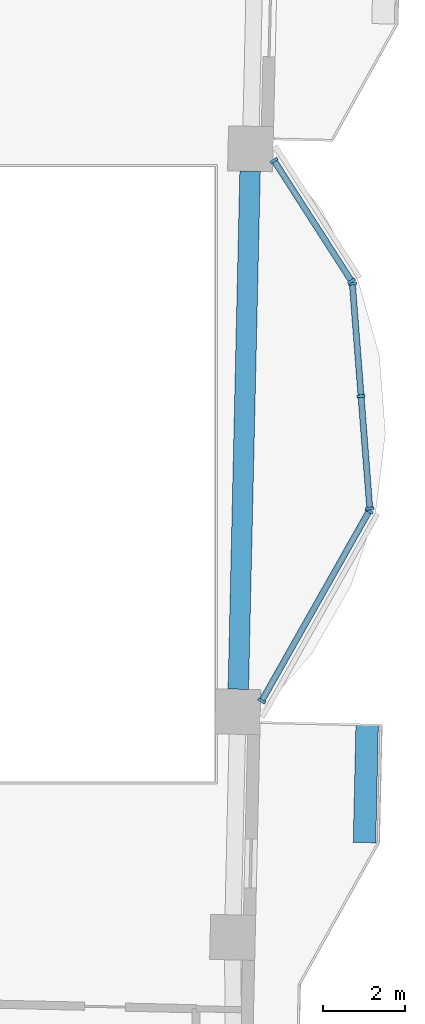
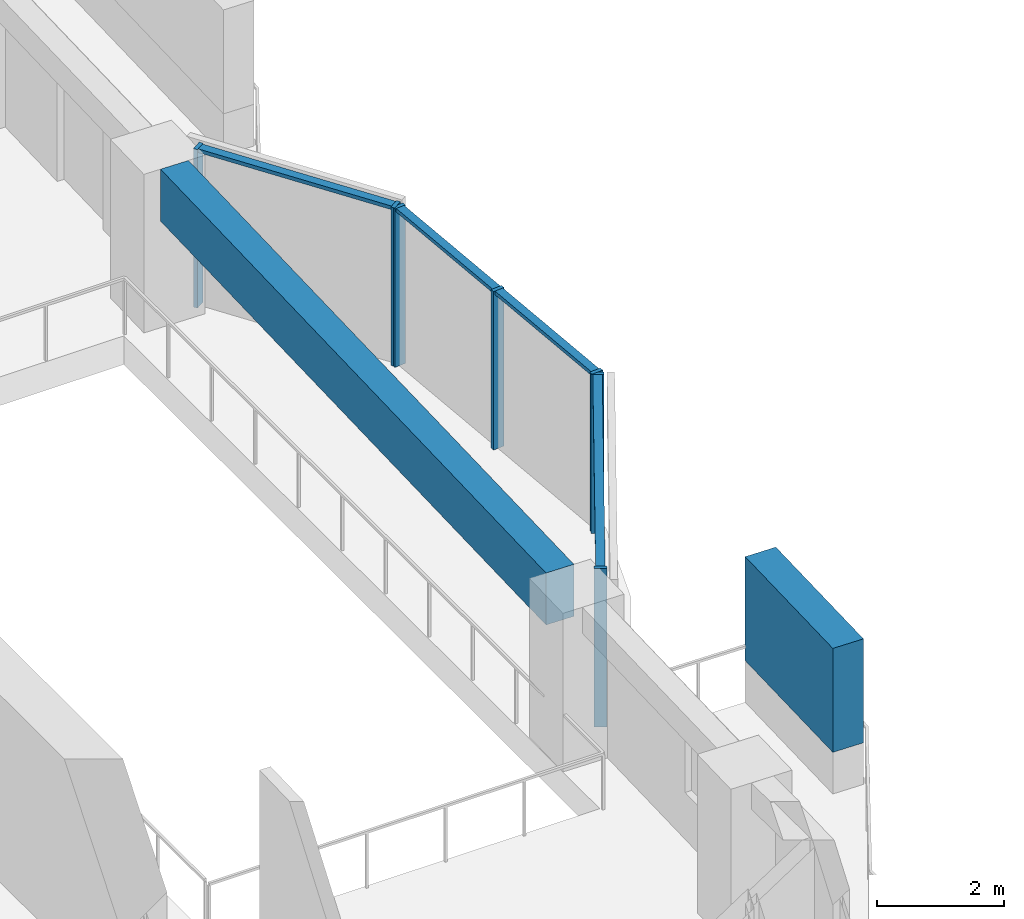
# One storey, part 2 of 14: 12 members, 1 beam, 3 elements without a shape of their own.
"""IFC4 building model written with IfcOpenShell, lengths in metres."""

from ifc_helpers import new_model, si_unit, direction, frame, origin, origin_2d, place, context, subcontext, project, spatial, rectangle, extrude, material, material_profile, profile_set, type_object, element, aggregate, save


model = new_model("IFC4")

# Units and contexts
model_context = context("Model", 3, precision=1e-05, world=origin(), true_north=direction((0.0, 1.0)))
body_context = subcontext(model_context, "Body", "Model", "MODEL_VIEW")
ifc_project = project(units=[si_unit("LENGTHUNIT", "METRE"), si_unit("AREAUNIT", "SQUARE_METRE"), si_unit("VOLUMEUNIT", "CUBIC_METRE"), si_unit("PLANEANGLEUNIT", "RADIAN"), si_unit("MASSUNIT", "GRAM", prefix="KILO")], contexts=[model_context])

# Site, building, storey
site_placement = place(None, origin())
site = spatial("IfcSite", under=ifc_project, at=site_placement, CompositionType="ELEMENT")
building_placement = place(site_placement, origin())
building = spatial("IfcBuilding", under=site, at=building_placement, Name="Mangrove Gate Tower", CompositionType="ELEMENT")
storey_placement = place(building_placement, frame((0.0, 0.0, 208.699951171875)))
storey = spatial("IfcBuildingStorey", under=building, at=storey_placement, Name="L53", CompositionType="ELEMENT", Elevation=208.699951171875)

# Curtain wall, members
ifc_material_1 = material(Name="Aluminium and glass curtain wall", Category="aluminium")
curtain_wall_type = type_object("IfcCurtainWallType", Name="Atrium garden-court glazing wall", PredefinedType="NOTDEFINED", material=ifc_material_1)
curtain_wall_1_placement = place(storey_placement, origin())
curtain_wall_1 = element("IfcCurtainWall", 1, at=curtain_wall_1_placement, inside=storey, type_object=curtain_wall_type, Name="Atrium garden-court glazing E1f1", PredefinedType="NOTDEFINED")
ifc_material_2 = material(Name="Aluminium alloy 6063-T6", Category="aluminium")
ifc_material_profile_1 = material_profile(ifc_material_2, rectangle(XDim=0.070068359375, YDim=0.199951171875, at=origin_2d()))
ifc_profile_set_1 = profile_set([ifc_material_profile_1], Name="Aluminium alloy 6063-T6")
member_type_1 = type_object("IfcMemberType", Name="Atrium garden-court glazing mullion 70x200", PredefinedType="MULLION", material=ifc_profile_set_1)
member_1_placement = place(storey_placement, frame((24.141845703125, -5.53564453125, 0.0), z_axis=(0.0, 0.0, 1.0), x_axis=(0.492599932635, 0.870255885569, 0.0)))
member_1 = element("IfcMember", 2, at=member_1_placement, type_object=member_type_1, Name="CWA mullion 1", PredefinedType="MULLION", context=body_context, shape_type="SweptSolid", body=[
    extrude(rectangle(XDim=0.070068359375, YDim=0.199951171875, at=origin_2d()), origin(), (0.0, 0.0, 1.0), 3.050048828125),
])
member_2_placement = place(storey_placement, frame((26.7666015625, -0.8984375, 0.0), z_axis=(0.0, 0.0, 1.0), x_axis=(0.492599932635, 0.870255885569, 0.0)))
member_2 = element("IfcMember", 3, at=member_2_placement, type_object=member_type_1, Name="CWA mullion 2", PredefinedType="MULLION", context=body_context, shape_type="SweptSolid", body=[
    extrude(rectangle(XDim=0.070068359375, YDim=0.199951171875, at=origin_2d()), origin(), (0.0, 0.0, 1.0), 3.050048828125),
])

curtain_wall_2_placement = place(storey_placement, origin())
curtain_wall_2 = element("IfcCurtainWall", 4, at=curtain_wall_2_placement, inside=storey, type_object=curtain_wall_type, Name="Atrium garden-court glazing E1f2", PredefinedType="NOTDEFINED")
member_3_placement = place(storey_placement, frame((26.78125, -0.8330078125, 0.0), z_axis=(0.0, 0.0, 1.0), x_axis=(-0.077023348229, 0.997029289353, 0.0)))
member_3 = element("IfcMember", 5, at=member_3_placement, type_object=member_type_1, Name="CWA mullion 1", PredefinedType="MULLION", context=body_context, shape_type="SweptSolid", body=[
    extrude(rectangle(XDim=0.070068359375, YDim=0.199951171875, at=origin_2d()), origin(), (0.0, 0.0, 1.0), 3.050048828125),
])
member_4_placement = place(storey_placement, frame((26.5693359375, 1.910400390625, 0.0), z_axis=(0.0, 0.0, 1.0), x_axis=(-0.077023348229, 0.997029289353, 0.0)))
member_4 = element("IfcMember", 6, at=member_4_placement, type_object=member_type_1, Name="CWA mullion 2", PredefinedType="MULLION", context=body_context, shape_type="SweptSolid", body=[
    extrude(rectangle(XDim=0.070068359375, YDim=0.199951171875, at=origin_2d()), origin(), (0.0, 0.0, 1.0), 3.050048828125),
])
member_5_placement = place(storey_placement, frame((26.357177734375, 4.654052734375, 0.0), z_axis=(0.0, 0.0, 1.0), x_axis=(-0.077023348229, 0.997029289353, 0.0)))
member_5 = element("IfcMember", 7, at=member_5_placement, type_object=member_type_1, Name="CWA mullion 3", PredefinedType="MULLION", context=body_context, shape_type="SweptSolid", body=[
    extrude(rectangle(XDim=0.070068359375, YDim=0.199951171875, at=origin_2d()), origin(), (0.0, 0.0, 1.0), 3.050048828125),
])

curtain_wall_3_placement = place(storey_placement, origin())
curtain_wall_3 = element("IfcCurtainWall", 8, at=curtain_wall_3_placement, inside=storey, type_object=curtain_wall_type, Name="Atrium garden-court glazing E1f3", PredefinedType="NOTDEFINED")
member_6_placement = place(storey_placement, frame((26.335693359375, 4.71826171875, 0.0), z_axis=(0.0, 0.0, 1.0), x_axis=(-0.540523066602, 0.841329195067, 0.0)))
member_6 = element("IfcMember", 9, at=member_6_placement, type_object=member_type_1, Name="CWA mullion 1", PredefinedType="MULLION", context=body_context, shape_type="SweptSolid", body=[
    extrude(rectangle(XDim=0.070068359375, YDim=0.199951171875, at=origin_2d()), origin(), (0.0, 0.0, 1.0), 3.050048828125),
])
member_7_placement = place(storey_placement, frame((24.4443359375, 7.662109375, 0.0), z_axis=(0.0, 0.0, 1.0), x_axis=(-0.540523066602, 0.841329195067, 0.0)))
member_7 = element("IfcMember", 10, at=member_7_placement, type_object=member_type_1, Name="CWA mullion 2", PredefinedType="MULLION", context=body_context, shape_type="SweptSolid", body=[
    extrude(rectangle(XDim=0.070068359375, YDim=0.199951171875, at=origin_2d()), origin(), (0.0, 0.0, 1.0), 3.050048828125),
])

# Member
ifc_material_3 = material(Name="Aluminium alloy 6063-T6", Category="aluminium")
ifc_material_profile_2 = material_profile(ifc_material_3, rectangle(XDim=0.070068359375, YDim=0.14990234375, at=origin_2d()))
ifc_profile_set_2 = profile_set([ifc_material_profile_2], Name="Aluminium alloy 6063-T6")
member_type_2 = type_object("IfcMemberType", Name="Atrium garden-court glazing transom 70x150", PredefinedType="USERDEFINED", material=ifc_profile_set_2)
member_8_placement = place(storey_placement, frame((24.158935546875, -5.505126953125, 3.01513671875), z_axis=(0.492604854248, 0.870253099719, 0.0), x_axis=(0.0, 0.0, 1.0)))
member_8 = element("IfcMember", 11, at=member_8_placement, type_object=member_type_2, Name="CWA transom 1.2", ObjectType="TRANSOM", PredefinedType="USERDEFINED", context=body_context, shape_type="SweptSolid", body=[
    extrude(rectangle(XDim=0.070068359375, YDim=0.14990234375, at=origin_2d()), origin(), (0.0, 0.0, 1.0), 5.258544921875),
])

aggregate(curtain_wall_1, [member_1, member_2, member_8])

member_9_placement = place(storey_placement, frame((26.778564453125, -0.798095703125, 3.01513671875), z_axis=(-0.077023719707, 0.997029260655, 0.0), x_axis=(0.0, 0.0, 1.0)))
member_9 = element("IfcMember", 12, at=member_9_placement, type_object=member_type_2, Name="CWA transom 1.2", ObjectType="TRANSOM", PredefinedType="USERDEFINED", context=body_context, shape_type="SweptSolid", body=[
    extrude(rectangle(XDim=0.070068359375, YDim=0.14990234375, at=origin_2d()), origin(), (0.0, 0.0, 1.0), 2.681640625),
])

member_10_placement = place(storey_placement, frame((26.56640625, 1.9453125, 3.01513671875), z_axis=(-0.07701672858, 0.997029800718, 0.0), x_axis=(0.0, 0.0, 1.0)))
member_10 = element("IfcMember", 13, at=member_10_placement, type_object=member_type_2, Name="CWA transom 2.2", ObjectType="TRANSOM", PredefinedType="USERDEFINED", context=body_context, shape_type="SweptSolid", body=[
    extrude(rectangle(XDim=0.070068359375, YDim=0.14990234375, at=origin_2d()), origin(), (0.0, 0.0, 1.0), 2.681884765625),
])

aggregate(curtain_wall_2, [member_3, member_4, member_5, member_9, member_10])

member_11_placement = place(storey_placement, frame((26.316650390625, 4.747802734375, 3.01513671875), z_axis=(-0.540473277627, 0.841361180571, 0.0), x_axis=(0.0, 0.0, 1.0)))
member_11 = element("IfcMember", 14, at=member_11_placement, type_object=member_type_2, Name="CWA transom 1.2", ObjectType="TRANSOM", PredefinedType="USERDEFINED", context=body_context, shape_type="SweptSolid", body=[
    extrude(rectangle(XDim=0.070068359375, YDim=0.14990234375, at=origin_2d()), origin(), (0.0, 0.0, 1.0), 3.428955078125),
])

aggregate(curtain_wall_3, [member_6, member_7, member_11])

ifc_material_4 = material(Name="Planting on aluminium trellis", Category="aluminium")
ifc_material_profile_3 = material_profile(ifc_material_4, rectangle(XDim=0.550048828125, YDim=2.0, at=origin_2d()))
ifc_profile_set_3 = profile_set([ifc_material_profile_3], Name="Planting on aluminium trellis")
member_type_3 = type_object("IfcMemberType", Name="Balcony greenery screen 550x2000", PredefinedType="USERDEFINED", material=ifc_profile_set_3)
member_12_placement = place(storey_placement, frame((26.653076171875, -8.993896484375, 1.800048828125), z_axis=(0.02259214234, 0.99974476498, 0.0), x_axis=(-0.99974476498, 0.02259214234, 0.0)))
element("IfcMember", 15, at=member_12_placement, inside=storey, type_object=member_type_3, Name="GREEN SCREEN L53 E0.1", ObjectType="PLANTING", PredefinedType="USERDEFINED", context=body_context, shape_type="SweptSolid", body=[
    extrude(rectangle(XDim=0.550048828125, YDim=2.0, at=origin_2d()), origin(), (0.0, 0.0, 1.0), 2.87451171875),
])

# Beam
ifc_material_5 = material(Name="Concrete C50/60", Category="concrete")
ifc_material_profile_4 = material_profile(ifc_material_5, rectangle(XDim=0.5, YDim=1.0, at=origin_2d()))
ifc_profile_set_4 = profile_set([ifc_material_profile_4], Name="Concrete C50/60")
beam_type = type_object("IfcBeamType", Name="Edge beam RC 500x1000 C50/60", PredefinedType="BEAM", material=ifc_profile_set_4)
beam_placement = place(storey_placement, frame((23.571533203125, -5.248779296875, 2.550048828125), z_axis=(0.022693351373, 0.999742472742, 0.0), x_axis=(-0.999742472742, 0.022693351373, 0.0)))
element("IfcBeam", 16, at=beam_placement, inside=storey, type_object=beam_type, Name="Edge beam L53 14", PredefinedType="BEAM", context=body_context, shape_type="SweptSolid", body=[
    extrude(rectangle(XDim=0.5, YDim=1.0, at=origin_2d()), origin(), (0.0, 0.0, 1.0), 12.651611328125),
])

save(model, "model.ifc")
